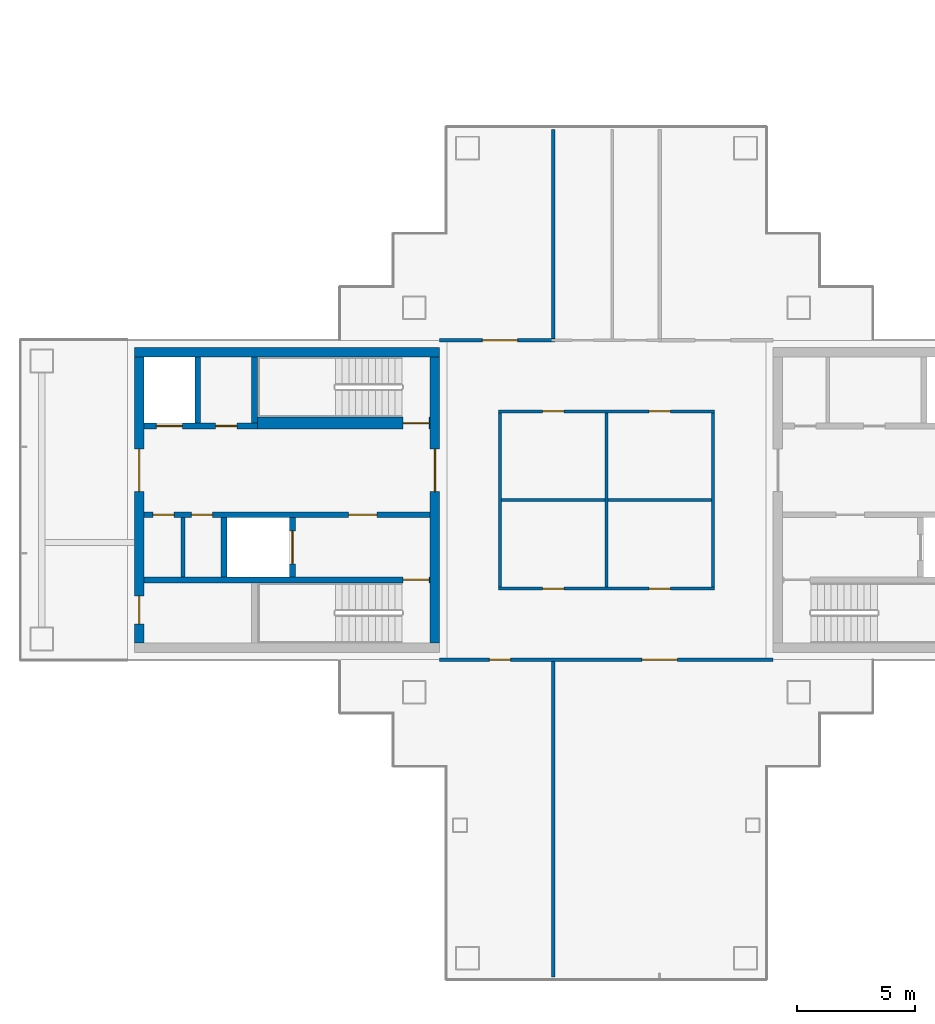
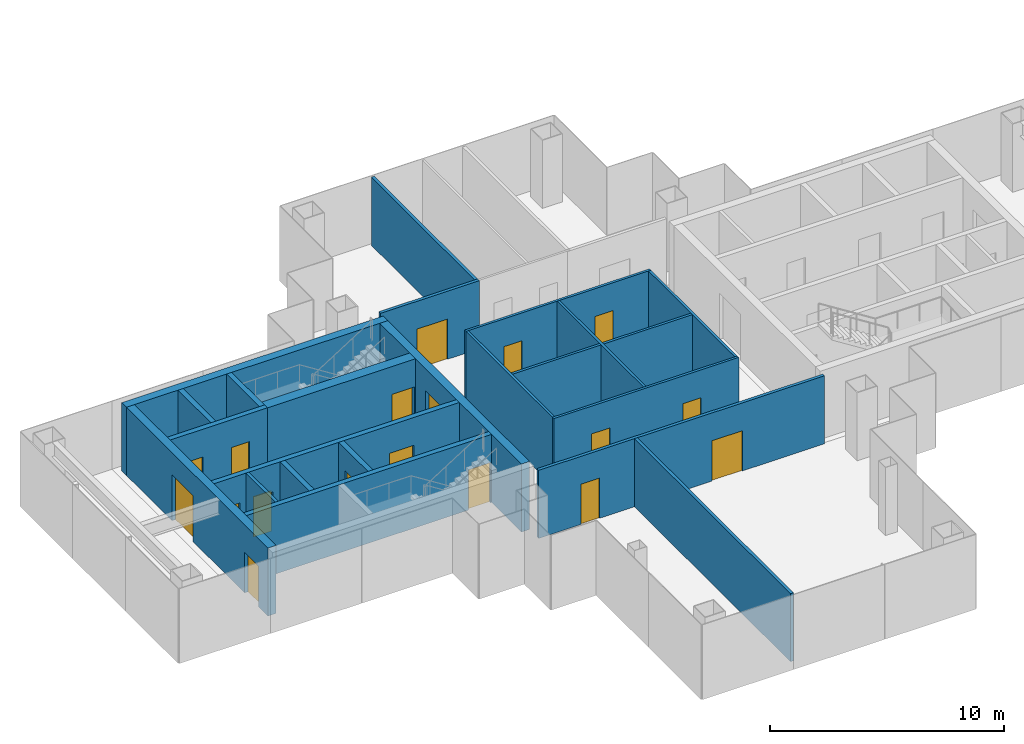
# One storey, part 9 of 16: 22 walls, 18 doors, 18 openings.
"""IFC4 building model written with IfcOpenShell, lengths in metres."""

from ifc_helpers import new_model, si_unit, direction, frame, frame_2d, origin, place, context, subcontext, project, spatial, rectangle, extrude, material, layer, layer_set, type_object, element, fill, save


model = new_model("IFC4")

# Units and contexts
model_context = context("Model", 3, precision=1e-05, world=origin(), true_north=direction((0.0, 1.0)))
body_context = subcontext(model_context, "Body", "Model", "MODEL_VIEW")
ifc_project = project(units=[si_unit("LENGTHUNIT", "METRE"), si_unit("AREAUNIT", "SQUARE_METRE"), si_unit("VOLUMEUNIT", "CUBIC_METRE"), si_unit("PLANEANGLEUNIT", "RADIAN"), si_unit("MASSUNIT", "GRAM", prefix="KILO")], contexts=[model_context])

# Site, building, storey
site_placement = place(None, origin())
site = spatial("IfcSite", under=ifc_project, at=site_placement, CompositionType="ELEMENT")
building_placement = place(site_placement, origin())
building = spatial("IfcBuilding", under=site, at=building_placement, Name="Shamsa Quay Exchange Towers", CompositionType="ELEMENT")
storey_placement = place(building_placement, frame((0.0, 0.0, 182.699951171875)))
storey = spatial("IfcBuildingStorey", under=building, at=storey_placement, Name="L43", CompositionType="ELEMENT", Elevation=182.699951171875)

# Wall
ifc_material_1 = material(Name="Concrete C60/75", Category="concrete")
ifc_layer_1 = layer(ifc_material_1, 0.39990234375)
ifc_layer_set_1 = layer_set([ifc_layer_1], Name="CORE WALL 400 C60/75")
wall_type_1 = type_object("IfcWallType", Name="CORE WALL 400 C60/75", PredefinedType="SHEAR", material=ifc_layer_set_1)
wall_1_placement = place(storey_placement, frame((-40.800048828125, 6.25, 0.0), z_axis=(0.0, 0.0, 1.0), x_axis=(-1.0, 0.0, 0.0)))
element("IfcWall", 1, at=wall_1_placement, inside=storey, type_object=wall_type_1, Name="Core wall T1B-R20-PN", PredefinedType="SHEAR", context=body_context, shape_type="SweptSolid", body=[
    extrude(rectangle(XDim=12.89990234375, YDim=0.39990234375, at=frame_2d((6.449951171875, 0.0))), origin(), (0.0, 0.0, 1.0), 3.550048828125),
])

# Wall, opening, door
wall_2_placement = place(storey_placement, frame((-41.0, -6.050048828125, 0.0), z_axis=(0.0, 0.0, 1.0), x_axis=(0.0, 1.0, 0.0)))
wall_2 = element("IfcWall", 2, at=wall_2_placement, inside=storey, type_object=wall_type_1, Name="Core wall T1B-R20-PF", PredefinedType="SHEAR", context=body_context, shape_type="SweptSolid", body=[
    extrude(rectangle(XDim=12.10009765625, YDim=0.39990234375, at=frame_2d((6.050048828125, 0.0))), origin(), (0.0, 0.0, 1.0), 3.550048828125),
])
opening_1_placement = place(wall_2_placement, frame((6.39990234375, 0.0, 0.0)))
opening_1 = element("IfcOpeningElement", 3, at=opening_1_placement, cuts=wall_2, Name="Opening T1B-R20-LBD01", PredefinedType="OPENING", context=body_context, shape_type="SweptSolid", body=[
    extrude(rectangle(XDim=1.800048828125, YDim=2.39990234375, at=frame_2d((0.89990234375, 1.199951171875))), frame((0.0, 0.2099609375, 0.0), z_axis=(0.0, -1.0, 0.0), x_axis=(1.0, 0.0, 0.0)), (0.0, 0.0, 1.0), 0.419921875),
])
ifc_material_2 = material(Name="Steel, fire rated", Category="steel")
door_type_1 = type_object("IfcDoorType", Name="LIFT LOBBY DOOR PAIR 1800", OperationType="DOUBLE_DOOR_SINGLE_SWING", PredefinedType="DOOR", material=ifc_material_2)
door_1_placement = place(opening_1_placement, origin())
door_1 = element("IfcDoor", 4, at=door_1_placement, inside=storey, type_object=door_type_1, Name="T1B-R20-LBD01", OperationType="DOUBLE_DOOR_SINGLE_SWING", OverallHeight=2.39990234375, OverallWidth=1.800048828125, PredefinedType="DOOR", context=body_context, shape_type="SweptSolid", body=[
    extrude(rectangle(XDim=1.800048828125, YDim=2.39990234375, at=frame_2d((0.89990234375, 1.199951171875))), frame((0.0, 0.02490234375, 0.0), z_axis=(0.0, -1.0, 0.0), x_axis=(1.0, 0.0, 0.0)), (0.0, 0.0, 1.0), 0.050048828125),
])
fill(opening_1, door_1)

# Wall, openings, doors
wall_3_placement = place(storey_placement, frame((-53.5, -6.050048828125, 0.0), z_axis=(0.0, 0.0, 1.0), x_axis=(0.0, 1.0, 0.0)))
wall_3 = element("IfcWall", 5, at=wall_3_placement, inside=storey, type_object=wall_type_1, Name="Core wall T1B-R20-PB", PredefinedType="SHEAR", context=body_context, shape_type="SweptSolid", body=[
    extrude(rectangle(XDim=12.10009765625, YDim=0.39990234375, at=frame_2d((6.050048828125, 0.0))), origin(), (0.0, 0.0, 1.0), 3.550048828125),
])
opening_2_placement = place(wall_3_placement, frame((0.800048828125, 0.0, 0.0)))
opening_2 = element("IfcOpeningElement", 6, at=opening_2_placement, cuts=wall_3, Name="Opening T1B-R20-RD02", PredefinedType="OPENING", context=body_context, shape_type="SweptSolid", body=[
    extrude(rectangle(XDim=1.199951171875, YDim=2.10009765625, at=frame_2d((0.60009765625, 1.050048828125))), frame((0.0, 0.2099609375, 0.0), z_axis=(0.0, -1.0, 0.0), x_axis=(1.0, 0.0, 0.0)), (0.0, 0.0, 1.0), 0.419921875),
])
opening_3_placement = place(wall_3_placement, frame((6.39990234375, 0.0, 0.0)))
opening_3 = element("IfcOpeningElement", 7, at=opening_3_placement, cuts=wall_3, Name="Opening T1B-R20-LBD03", PredefinedType="OPENING", context=body_context, shape_type="SweptSolid", body=[
    extrude(rectangle(XDim=1.800048828125, YDim=2.39990234375, at=frame_2d((0.89990234375, 1.199951171875))), frame((0.0, 0.2099609375, 0.0), z_axis=(0.0, -1.0, 0.0), x_axis=(1.0, 0.0, 0.0)), (0.0, 0.0, 1.0), 0.419921875),
])
door_2_placement = place(opening_3_placement, origin())
door_2 = element("IfcDoor", 8, at=door_2_placement, inside=storey, type_object=door_type_1, Name="T1B-R20-LBD03", OperationType="DOUBLE_DOOR_SINGLE_SWING", OverallHeight=2.39990234375, OverallWidth=1.800048828125, PredefinedType="DOOR", context=body_context, shape_type="SweptSolid", body=[
    extrude(rectangle(XDim=1.800048828125, YDim=2.39990234375, at=frame_2d((0.89990234375, 1.199951171875))), frame((0.0, 0.02490234375, 0.0), z_axis=(0.0, -1.0, 0.0), x_axis=(1.0, 0.0, 0.0)), (0.0, 0.0, 1.0), 0.050048828125),
])
fill(opening_3, door_2)
door_type_2 = type_object("IfcDoorType", Name="RISER ACCESS DOOR 1200", OperationType="SINGLE_SWING_LEFT", PredefinedType="DOOR", material=ifc_material_2)
door_3_placement = place(opening_2_placement, origin())
door_3 = element("IfcDoor", 9, at=door_3_placement, inside=storey, type_object=door_type_2, Name="T1B-R20-RD02", OperationType="SINGLE_SWING_LEFT", OverallHeight=2.10009765625, OverallWidth=1.199951171875, PredefinedType="DOOR", context=body_context, shape_type="SweptSolid", body=[
    extrude(rectangle(XDim=1.199951171875, YDim=2.10009765625, at=frame_2d((0.60009765625, 1.050048828125))), frame((0.0, 0.02490234375, 0.0), z_axis=(0.0, -1.0, 0.0), x_axis=(1.0, 0.0, 0.0)), (0.0, 0.0, 1.0), 0.050048828125),
])
fill(opening_2, door_3)

# Walls
ifc_material_3 = material(Name="Gypsum board on steel studs, EI 60", Category="steel")
ifc_layer_2 = layer(ifc_material_3, 0.14990234375)
ifc_layer_set_2 = layer_set([ifc_layer_2], Name="FIRE PARTITION 150")
wall_type_2 = type_object("IfcWallType", Name="FIRE PARTITION 150", PredefinedType="PARTITIONING", material=ifc_layer_set_2)
wall_4_placement = place(storey_placement, frame((-51.64990234375, -3.25, 0.0), z_axis=(0.0, 0.0, 1.0), x_axis=(0.0, 1.0, 0.0)))
element("IfcWall", 10, at=wall_4_placement, inside=storey, type_object=wall_type_2, Name="Partition T1B-R20-EC0", PredefinedType="PARTITIONING", context=body_context, shape_type="SweptSolid", body=[
    extrude(rectangle(XDim=2.5, YDim=0.14990234375, at=frame_2d((1.25, 0.0))), origin(), (0.0, 0.0, 1.0), 3.550048828125),
])
ifc_material_4 = material(Name="Laminated fire-resisting glass in a metal frame", Category="glass")
ifc_layer_3 = layer(ifc_material_4, 0.125)
ifc_layer_set_3 = layer_set([ifc_layer_3], Name="Glazed partition 125 mm EI 60")
wall_type_3 = type_object("IfcWallType", Name="Glazed partition 125 mm EI 60", PredefinedType="PARTITIONING", material=ifc_layer_set_3)
wall_5_placement = place(storey_placement, frame((-29.25, -3.6875, 0.0), z_axis=(0.0, 0.0, 1.0), x_axis=(0.0, 1.0, 0.0)))
element("IfcWall", 11, at=wall_5_placement, inside=storey, type_object=wall_type_3, Name="Partition T1-R20-W01", PredefinedType="PARTITIONING", context=body_context, shape_type="SweptSolid", body=[
    extrude(rectangle(XDim=7.375, YDim=0.125, at=frame_2d((3.6875, 0.0))), origin(), (0.0, 0.0, 1.0), 3.550048828125),
])

# Wall, openings, doors
wall_6_placement = place(storey_placement, frame((-29.1875, 3.75, 0.0), z_axis=(0.0, 0.0, 1.0), x_axis=(-1.0, 0.0, 0.0)))
wall_6 = element("IfcWall", 12, at=wall_6_placement, inside=storey, type_object=wall_type_3, Name="Partition T1-R20-W02", PredefinedType="PARTITIONING", context=body_context, shape_type="SweptSolid", body=[
    extrude(rectangle(XDim=9.125, YDim=0.125, at=frame_2d((4.5625, 0.0))), origin(), (0.0, 0.0, 1.0), 3.550048828125),
])
opening_4_placement = place(wall_6_placement, frame((1.862548828125, 0.0, 0.0)))
opening_4 = element("IfcOpeningElement", 13, at=opening_4_placement, cuts=wall_6, Name="Opening T1-R20-D07", PredefinedType="OPENING", context=body_context, shape_type="SweptSolid", body=[
    extrude(rectangle(XDim=0.89990234375, YDim=2.10009765625, at=frame_2d((0.449951171875, 1.050048828125))), frame((0.0, 0.072509765625, 0.0), z_axis=(0.0, -1.0, 0.0), x_axis=(1.0, 0.0, 0.0)), (0.0, 0.0, 1.0), 0.14501953125),
])
opening_5_placement = place(wall_6_placement, frame((6.362548828125, 0.0, 0.0)))
opening_5 = element("IfcOpeningElement", 14, at=opening_5_placement, cuts=wall_6, Name="Opening T1-R20-D08", PredefinedType="OPENING", context=body_context, shape_type="SweptSolid", body=[
    extrude(rectangle(XDim=0.89990234375, YDim=2.10009765625, at=frame_2d((0.449951171875, 1.050048828125))), frame((0.0, 0.072509765625, 0.0), z_axis=(0.0, -1.0, 0.0), x_axis=(1.0, 0.0, 0.0)), (0.0, 0.0, 1.0), 0.14501953125),
])
ifc_material_5 = material(Name="Timber door leaf in a metal frame", Category="wood")
door_type_3 = type_object("IfcDoorType", Name="Door 900x2100 FD30S", OperationType="NOTDEFINED", PredefinedType="DOOR", material=ifc_material_5)
door_4_placement = place(opening_4_placement, origin())
door_4 = element("IfcDoor", 15, at=door_4_placement, inside=storey, type_object=door_type_3, Name="Door T1-R20-D07", OperationType="SINGLE_SWING_LEFT", OverallHeight=2.10009765625, OverallWidth=0.89990234375, PredefinedType="DOOR", context=body_context, shape_type="SweptSolid", body=[
    extrude(rectangle(XDim=0.89990234375, YDim=2.10009765625, at=frame_2d((0.449951171875, 1.050048828125))), frame((0.0, 0.02490234375, 0.0), z_axis=(0.0, -1.0, 0.0), x_axis=(1.0, 0.0, 0.0)), (0.0, 0.0, 1.0), 0.050048828125),
])
fill(opening_4, door_4)
door_5_placement = place(opening_5_placement, origin())
door_5 = element("IfcDoor", 16, at=door_5_placement, inside=storey, type_object=door_type_3, Name="Door T1-R20-D08", OperationType="SINGLE_SWING_RIGHT", OverallHeight=2.10009765625, OverallWidth=0.89990234375, PredefinedType="DOOR", context=body_context, shape_type="SweptSolid", body=[
    extrude(rectangle(XDim=0.89990234375, YDim=2.10009765625, at=frame_2d((0.449951171875, 1.050048828125))), frame((0.0, 0.02490234375, 0.0), z_axis=(0.0, -1.0, 0.0), x_axis=(1.0, 0.0, 0.0)), (0.0, 0.0, 1.0), 0.050048828125),
])
fill(opening_5, door_5)

wall_7_placement = place(storey_placement, frame((-38.3125, -3.75, 0.0)))
wall_7 = element("IfcWall", 17, at=wall_7_placement, inside=storey, type_object=wall_type_3, Name="Partition T1-R20-W03", PredefinedType="PARTITIONING", context=body_context, shape_type="SweptSolid", body=[
    extrude(rectangle(XDim=9.125, YDim=0.125, at=frame_2d((4.5625, 0.0))), origin(), (0.0, 0.0, 1.0), 3.550048828125),
])
opening_6_placement = place(wall_7_placement, frame((1.862548828125, 0.0, 0.0)))
opening_6 = element("IfcOpeningElement", 18, at=opening_6_placement, cuts=wall_7, Name="Opening T1-R20-D02", PredefinedType="OPENING", context=body_context, shape_type="SweptSolid", body=[
    extrude(rectangle(XDim=0.89990234375, YDim=2.10009765625, at=frame_2d((0.449951171875, 1.050048828125))), frame((0.0, 0.072509765625, 0.0), z_axis=(0.0, -1.0, 0.0), x_axis=(1.0, 0.0, 0.0)), (0.0, 0.0, 1.0), 0.14501953125),
])
opening_7_placement = place(wall_7_placement, frame((6.362548828125, 0.0, 0.0)))
opening_7 = element("IfcOpeningElement", 19, at=opening_7_placement, cuts=wall_7, Name="Opening T1-R20-D03", PredefinedType="OPENING", context=body_context, shape_type="SweptSolid", body=[
    extrude(rectangle(XDim=0.89990234375, YDim=2.10009765625, at=frame_2d((0.449951171875, 1.050048828125))), frame((0.0, 0.072509765625, 0.0), z_axis=(0.0, -1.0, 0.0), x_axis=(1.0, 0.0, 0.0)), (0.0, 0.0, 1.0), 0.14501953125),
])
door_6_placement = place(opening_6_placement, origin())
door_6 = element("IfcDoor", 20, at=door_6_placement, inside=storey, type_object=door_type_3, Name="Door T1-R20-D02", OperationType="SINGLE_SWING_LEFT", OverallHeight=2.10009765625, OverallWidth=0.89990234375, PredefinedType="DOOR", context=body_context, shape_type="SweptSolid", body=[
    extrude(rectangle(XDim=0.89990234375, YDim=2.10009765625, at=frame_2d((0.449951171875, 1.050048828125))), frame((0.0, 0.02490234375, 0.0), z_axis=(0.0, -1.0, 0.0), x_axis=(1.0, 0.0, 0.0)), (0.0, 0.0, 1.0), 0.050048828125),
])
fill(opening_6, door_6)
door_7_placement = place(opening_7_placement, origin())
door_7 = element("IfcDoor", 21, at=door_7_placement, inside=storey, type_object=door_type_3, Name="Door T1-R20-D03", OperationType="SINGLE_SWING_LEFT", OverallHeight=2.10009765625, OverallWidth=0.89990234375, PredefinedType="DOOR", context=body_context, shape_type="SweptSolid", body=[
    extrude(rectangle(XDim=0.89990234375, YDim=2.10009765625, at=frame_2d((0.449951171875, 1.050048828125))), frame((0.0, 0.02490234375, 0.0), z_axis=(0.0, -1.0, 0.0), x_axis=(1.0, 0.0, 0.0)), (0.0, 0.0, 1.0), 0.050048828125),
])
fill(opening_7, door_7)

# Walls
wall_8_placement = place(storey_placement, frame((-38.25, 3.6875, 0.0), z_axis=(0.0, 0.0, 1.0), x_axis=(0.0, -1.0, 0.0)))
element("IfcWall", 22, at=wall_8_placement, inside=storey, type_object=wall_type_3, Name="Partition T1-R20-W04", PredefinedType="PARTITIONING", context=body_context, shape_type="SweptSolid", body=[
    extrude(rectangle(XDim=7.375, YDim=0.125, at=frame_2d((3.6875, 0.0))), origin(), (0.0, 0.0, 1.0), 3.550048828125),
])
wall_9_placement = place(storey_placement, frame((-38.1875, 0.0, 0.0)))
element("IfcWall", 23, at=wall_9_placement, inside=storey, type_object=wall_type_3, Name="Partition T1-R20-W09", PredefinedType="PARTITIONING", context=body_context, shape_type="SweptSolid", body=[
    extrude(rectangle(XDim=8.875, YDim=0.125, at=frame_2d((4.4375, 0.0))), origin(), (0.0, 0.0, 1.0), 3.550048828125),
])
wall_10_placement = place(storey_placement, frame((-33.75, 3.6875, 0.0), z_axis=(0.0, 0.0, 1.0), x_axis=(0.0, -1.0, 0.0)))
element("IfcWall", 24, at=wall_10_placement, inside=storey, type_object=wall_type_3, Name="Partition T1-R20-W10", PredefinedType="PARTITIONING", context=body_context, shape_type="SweptSolid", body=[
    extrude(rectangle(XDim=7.375, YDim=0.125, at=frame_2d((3.6875, 0.0))), origin(), (0.0, 0.0, 1.0), 3.550048828125),
])

# Wall, opening, door
ifc_material_6 = material(Name="Gypsum board partition on metal studs")
ifc_layer_4 = layer(ifc_material_6, 0.14990234375)
ifc_layer_set_4 = layer_set([ifc_layer_4], Name="Partition 150 mm EI 60")
wall_type_4 = type_object("IfcWallType", Name="Partition 150 mm EI 60", PredefinedType="PARTITIONING", material=ifc_layer_set_4)
wall_11_placement = place(storey_placement, frame((-40.800048828125, 6.75, 0.0)))
wall_11 = element("IfcWall", 25, at=wall_11_placement, inside=storey, type_object=wall_type_4, Name="Partition T1-R20-W05", PredefinedType="PARTITIONING", context=body_context, shape_type="SweptSolid", body=[
    extrude(rectangle(XDim=4.875, YDim=0.14990234375, at=frame_2d((2.4375, 0.0))), origin(), (0.0, 0.0, 1.0), 3.550048828125),
])
opening_8_placement = place(wall_11_placement, frame((1.800048828125, 0.0, 0.0)))
opening_8 = element("IfcOpeningElement", 26, at=opening_8_placement, cuts=wall_11, Name="Opening T1-R20-D01", PredefinedType="OPENING", context=body_context, shape_type="SweptSolid", body=[
    extrude(rectangle(XDim=1.5, YDim=2.10009765625, at=frame_2d((0.75, 1.050048828125))), frame((0.0, 0.0849609375, 0.0), z_axis=(0.0, -1.0, 0.0), x_axis=(1.0, 0.0, 0.0)), (0.0, 0.0, 1.0), 0.169921875),
])
door_type_4 = type_object("IfcDoorType", Name="Door 1500x2100 FD30S pair", OperationType="NOTDEFINED", PredefinedType="DOOR", material=ifc_material_5)
door_8_placement = place(opening_8_placement, origin())
door_8 = element("IfcDoor", 27, at=door_8_placement, inside=storey, type_object=door_type_4, Name="Door T1-R20-D01", OperationType="DOUBLE_DOOR_SINGLE_SWING", OverallHeight=2.10009765625, OverallWidth=1.5, PredefinedType="DOOR", context=body_context, shape_type="SweptSolid", body=[
    extrude(rectangle(XDim=1.5, YDim=2.10009765625, at=frame_2d((0.75, 1.050048828125))), frame((0.0, 0.02490234375, 0.0), z_axis=(0.0, -1.0, 0.0), x_axis=(1.0, 0.0, 0.0)), (0.0, 0.0, 1.0), 0.050048828125),
])
fill(opening_8, door_8)

# Wall, openings, doors
wall_12_placement = place(storey_placement, frame((-26.699951171875, -6.75, 0.0), z_axis=(0.0, 0.0, 1.0), x_axis=(-1.0, 0.0, 0.0)))
wall_12 = element("IfcWall", 28, at=wall_12_placement, inside=storey, type_object=wall_type_4, Name="Partition T1-R20-W08", PredefinedType="PARTITIONING", context=body_context, shape_type="SweptSolid", body=[
    extrude(rectangle(XDim=14.10009765625, YDim=0.14990234375, at=frame_2d((7.050048828125, 0.0))), origin(), (0.0, 0.0, 1.0), 3.550048828125),
])
opening_9_placement = place(wall_12_placement, frame((4.050048828125, 0.0, 0.0)))
opening_9 = element("IfcOpeningElement", 29, at=opening_9_placement, cuts=wall_12, Name="Opening T1-R20-D09", PredefinedType="OPENING", context=body_context, shape_type="SweptSolid", body=[
    extrude(rectangle(XDim=1.5, YDim=2.10009765625, at=frame_2d((0.75, 1.050048828125))), frame((0.0, 0.0849609375, 0.0), z_axis=(0.0, -1.0, 0.0), x_axis=(1.0, 0.0, 0.0)), (0.0, 0.0, 1.0), 0.169921875),
])
opening_10_placement = place(wall_12_placement, frame((11.10009765625, 0.0, 0.0)))
opening_10 = element("IfcOpeningElement", 30, at=opening_10_placement, cuts=wall_12, Name="Opening T1-R20-D10", PredefinedType="OPENING", context=body_context, shape_type="SweptSolid", body=[
    extrude(rectangle(XDim=0.89990234375, YDim=2.10009765625, at=frame_2d((0.449951171875, 1.050048828125))), frame((0.0, 0.0849609375, 0.0), z_axis=(0.0, -1.0, 0.0), x_axis=(1.0, 0.0, 0.0)), (0.0, 0.0, 1.0), 0.169921875),
])
door_9_placement = place(opening_9_placement, origin())
door_9 = element("IfcDoor", 31, at=door_9_placement, inside=storey, type_object=door_type_4, Name="Door T1-R20-D09", OperationType="DOUBLE_DOOR_SINGLE_SWING", OverallHeight=2.10009765625, OverallWidth=1.5, PredefinedType="DOOR", context=body_context, shape_type="SweptSolid", body=[
    extrude(rectangle(XDim=1.5, YDim=2.10009765625, at=frame_2d((0.75, 1.050048828125))), frame((0.0, 0.02490234375, 0.0), z_axis=(0.0, -1.0, 0.0), x_axis=(1.0, 0.0, 0.0)), (0.0, 0.0, 1.0), 0.050048828125),
])
fill(opening_9, door_9)
door_10_placement = place(opening_10_placement, origin())
door_10 = element("IfcDoor", 32, at=door_10_placement, inside=storey, type_object=door_type_3, Name="Door T1-R20-D10", OperationType="SINGLE_SWING_LEFT", OverallHeight=2.10009765625, OverallWidth=0.89990234375, PredefinedType="DOOR", context=body_context, shape_type="SweptSolid", body=[
    extrude(rectangle(XDim=0.89990234375, YDim=2.10009765625, at=frame_2d((0.449951171875, 1.050048828125))), frame((0.0, 0.02490234375, 0.0), z_axis=(0.0, -1.0, 0.0), x_axis=(1.0, 0.0, 0.0)), (0.0, 0.0, 1.0), 0.050048828125),
])
fill(opening_10, door_10)

# Walls
wall_13_placement = place(storey_placement, frame((-36.0, -20.155029296875, 0.0), z_axis=(0.0, 0.0, 1.0), x_axis=(0.0, 1.0, 0.0)))
element("IfcWall", 33, at=wall_13_placement, inside=storey, type_object=wall_type_4, Name="Partition T1-R20-W11", PredefinedType="PARTITIONING", context=body_context, shape_type="SweptSolid", body=[
    extrude(rectangle(XDim=13.330078125, YDim=0.14990234375, at=frame_2d((6.6650390625, 0.0))), origin(), (0.0, 0.0, 1.0), 3.550048828125),
])
wall_14_placement = place(storey_placement, frame((-36.0, 6.824951171875, 0.0), z_axis=(0.0, 0.0, 1.0), x_axis=(0.0, 1.0, 0.0)))
element("IfcWall", 34, at=wall_14_placement, inside=storey, type_object=wall_type_4, Name="Partition T1-R20-W12", PredefinedType="PARTITIONING", context=body_context, shape_type="SweptSolid", body=[
    extrude(rectangle(XDim=8.830078125, YDim=0.14990234375, at=frame_2d((4.4150390625, 0.0))), origin(), (0.0, 0.0, 1.0), 3.550048828125),
])

# Wall, opening, door
ifc_material_7 = material(Name="Concrete C50/60", Category="concrete")
ifc_layer_5 = layer(ifc_material_7, 0.25)
ifc_layer_set_5 = layer_set([ifc_layer_5], Name="SHAFT WALL 250 C50/60")
wall_type_5 = type_object("IfcWallType", Name="SHAFT WALL 250 C50/60", PredefinedType="SHEAR", material=ifc_layer_set_5)
wall_15_placement = place(storey_placement, frame((-41.199951171875, -3.375, 0.0), z_axis=(0.0, 0.0, 1.0), x_axis=(-1.0, 0.0, 0.0)))
wall_15 = element("IfcWall", 35, at=wall_15_placement, inside=storey, type_object=wall_type_5, Name="Shaft wall T1B-R20-STL", PredefinedType="SHEAR", context=body_context, shape_type="SweptSolid", body=[
    extrude(rectangle(XDim=12.10009765625, YDim=0.25, at=frame_2d((6.050048828125, 0.0))), origin(), (0.0, 0.0, 1.0), 3.550048828125),
])
opening_11_placement = place(wall_15_placement, frame((0.050048828125, 0.0, 0.0)))
opening_11 = element("IfcOpeningElement", 36, at=opening_11_placement, cuts=wall_15, Name="Opening T1B-R20-SD04", PredefinedType="OPENING", context=body_context, shape_type="SweptSolid", body=[
    extrude(rectangle(XDim=1.10009765625, YDim=2.10009765625, at=frame_2d((0.550048828125, 1.050048828125))), frame((0.0, 0.135009765625, 0.0), z_axis=(0.0, -1.0, 0.0), x_axis=(1.0, 0.0, 0.0)), (0.0, 0.0, 1.0), 0.27001953125),
])
door_type_5 = type_object("IfcDoorType", Name="STAIR DOOR 1100", OperationType="SINGLE_SWING_LEFT", PredefinedType="DOOR", material=ifc_material_2)
door_11_placement = place(opening_11_placement, origin())
door_11 = element("IfcDoor", 37, at=door_11_placement, inside=storey, type_object=door_type_5, Name="T1B-R20-SD04", OperationType="SINGLE_SWING_LEFT", OverallHeight=2.10009765625, OverallWidth=1.10009765625, PredefinedType="DOOR", context=body_context, shape_type="SweptSolid", body=[
    extrude(rectangle(XDim=1.10009765625, YDim=2.10009765625, at=frame_2d((0.550048828125, 1.050048828125))), frame((0.0, 0.02490234375, 0.0), z_axis=(0.0, -1.0, 0.0), x_axis=(1.0, 0.0, 0.0)), (0.0, 0.0, 1.0), 0.050048828125),
])
fill(opening_11, door_11)

# Wall, openings, doors
wall_16_placement = place(storey_placement, frame((-41.199951171875, -0.625, 0.0), z_axis=(0.0, 0.0, 1.0), x_axis=(-1.0, 0.0, 0.0)))
wall_16 = element("IfcWall", 38, at=wall_16_placement, inside=storey, type_object=wall_type_5, Name="Shaft wall T1B-R20-B", PredefinedType="SHEAR", context=body_context, shape_type="SweptSolid", body=[
    extrude(rectangle(XDim=12.10009765625, YDim=0.25, at=frame_2d((6.050048828125, 0.0))), origin(), (0.0, 0.0, 1.0), 3.550048828125),
])
opening_12_placement = place(wall_16_placement, frame((2.25, 0.0, 0.0)))
opening_12 = element("IfcOpeningElement", 39, at=opening_12_placement, cuts=wall_16, Name="Opening T1B-R20-FD05", PredefinedType="OPENING", context=body_context, shape_type="SweptSolid", body=[
    extrude(rectangle(XDim=1.199951171875, YDim=2.10009765625, at=frame_2d((0.60009765625, 1.050048828125))), frame((0.0, 0.135009765625, 0.0), z_axis=(0.0, -1.0, 0.0), x_axis=(1.0, 0.0, 0.0)), (0.0, 0.0, 1.0), 0.27001953125),
])
opening_13_placement = place(wall_16_placement, frame((9.199951171875, 0.0, 0.0)))
opening_13 = element("IfcOpeningElement", 40, at=opening_13_placement, cuts=wall_16, Name="Opening T1B-R20-SV06", PredefinedType="OPENING", context=body_context, shape_type="SweptSolid", body=[
    extrude(rectangle(XDim=0.89990234375, YDim=2.10009765625, at=frame_2d((0.449951171875, 1.050048828125))), frame((0.0, 0.135009765625, 0.0), z_axis=(0.0, -1.0, 0.0), x_axis=(1.0, 0.0, 0.0)), (0.0, 0.0, 1.0), 0.27001953125),
])
opening_14_placement = place(wall_16_placement, frame((10.824951171875, 0.0, 0.0)))
opening_14 = element("IfcOpeningElement", 41, at=opening_14_placement, cuts=wall_16, Name="Opening T1B-R20-SV07", PredefinedType="OPENING", context=body_context, shape_type="SweptSolid", body=[
    extrude(rectangle(XDim=0.89990234375, YDim=2.10009765625, at=frame_2d((0.449951171875, 1.050048828125))), frame((0.0, 0.135009765625, 0.0), z_axis=(0.0, -1.0, 0.0), x_axis=(1.0, 0.0, 0.0)), (0.0, 0.0, 1.0), 0.27001953125),
])
door_type_6 = type_object("IfcDoorType", Name="FIRE SERVICE LOBBY DOOR 1200", OperationType="SINGLE_SWING_LEFT", PredefinedType="DOOR", material=ifc_material_2)
door_12_placement = place(opening_12_placement, origin())
door_12 = element("IfcDoor", 42, at=door_12_placement, inside=storey, type_object=door_type_6, Name="T1B-R20-FD05", OperationType="SINGLE_SWING_LEFT", OverallHeight=2.10009765625, OverallWidth=1.199951171875, PredefinedType="DOOR", context=body_context, shape_type="SweptSolid", body=[
    extrude(rectangle(XDim=1.199951171875, YDim=2.10009765625, at=frame_2d((0.60009765625, 1.050048828125))), frame((0.0, 0.02490234375, 0.0), z_axis=(0.0, -1.0, 0.0), x_axis=(1.0, 0.0, 0.0)), (0.0, 0.0, 1.0), 0.050048828125),
])
fill(opening_12, door_12)
door_type_7 = type_object("IfcDoorType", Name="SERVICE ROOM DOOR 900", OperationType="SINGLE_SWING_LEFT", PredefinedType="DOOR", material=ifc_material_2)
door_13_placement = place(opening_13_placement, origin())
door_13 = element("IfcDoor", 43, at=door_13_placement, inside=storey, type_object=door_type_7, Name="T1B-R20-SV06", OperationType="SINGLE_SWING_RIGHT", OverallHeight=2.10009765625, OverallWidth=0.89990234375, PredefinedType="DOOR", context=body_context, shape_type="SweptSolid", body=[
    extrude(rectangle(XDim=0.89990234375, YDim=2.10009765625, at=frame_2d((0.449951171875, 1.050048828125))), frame((0.0, 0.02490234375, 0.0), z_axis=(0.0, -1.0, 0.0), x_axis=(1.0, 0.0, 0.0)), (0.0, 0.0, 1.0), 0.050048828125),
])
fill(opening_13, door_13)
door_14_placement = place(opening_14_placement, origin())
door_14 = element("IfcDoor", 44, at=door_14_placement, inside=storey, type_object=door_type_7, Name="T1B-R20-SV07", OperationType="SINGLE_SWING_RIGHT", OverallHeight=2.10009765625, OverallWidth=0.89990234375, PredefinedType="DOOR", context=body_context, shape_type="SweptSolid", body=[
    extrude(rectangle(XDim=0.89990234375, YDim=2.10009765625, at=frame_2d((0.449951171875, 1.050048828125))), frame((0.0, 0.02490234375, 0.0), z_axis=(0.0, -1.0, 0.0), x_axis=(1.0, 0.0, 0.0)), (0.0, 0.0, 1.0), 0.050048828125),
])
fill(opening_14, door_14)

# Wall, opening, door
wall_17_placement = place(storey_placement, frame((-47.02490234375, -3.25, 0.0), z_axis=(0.0, 0.0, 1.0), x_axis=(0.0, 1.0, 0.0)))
wall_17 = element("IfcWall", 45, at=wall_17_placement, inside=storey, type_object=wall_type_5, Name="Shaft wall T1B-R20-FFF", PredefinedType="SHEAR", context=body_context, shape_type="SweptSolid", body=[
    extrude(rectangle(XDim=2.5, YDim=0.25, at=frame_2d((1.25, 0.0))), origin(), (0.0, 0.0, 1.0), 3.550048828125),
])
opening_15_placement = place(wall_17_placement, frame((0.550048828125, 0.0, 0.0)))
opening_15 = element("IfcOpeningElement", 46, at=opening_15_placement, cuts=wall_17, Name="Opening T1B-R20-LDG08", PredefinedType="OPENING", context=body_context, shape_type="SweptSolid", body=[
    extrude(rectangle(XDim=1.39990234375, YDim=2.39990234375, at=frame_2d((0.699951171875, 1.199951171875))), frame((0.0, 0.135009765625, 0.0), z_axis=(0.0, -1.0, 0.0), x_axis=(1.0, 0.0, 0.0)), (0.0, 0.0, 1.0), 0.27001953125),
])
door_type_8 = type_object("IfcDoorType", Name="GOODS LIFT LANDING DOOR 1400", OperationType="SLIDING_TO_LEFT", PredefinedType="DOOR", material=ifc_material_2)
door_15_placement = place(opening_15_placement, origin())
door_15 = element("IfcDoor", 47, at=door_15_placement, inside=storey, type_object=door_type_8, Name="T1B-R20-LDG08", OperationType="SLIDING_TO_LEFT", OverallHeight=2.39990234375, OverallWidth=1.39990234375, PredefinedType="DOOR", context=body_context, shape_type="SweptSolid", body=[
    extrude(rectangle(XDim=1.39990234375, YDim=2.39990234375, at=frame_2d((0.699951171875, 1.199951171875))), frame((0.0, 0.02490234375, 0.0), z_axis=(0.0, -1.0, 0.0), x_axis=(1.0, 0.0, 0.0)), (0.0, 0.0, 1.0), 0.050048828125),
])
fill(opening_15, door_15)

# Wall
wall_18_placement = place(storey_placement, frame((-49.925048828125, -3.25, 0.0), z_axis=(0.0, 0.0, 1.0), x_axis=(0.0, 1.0, 0.0)))
element("IfcWall", 48, at=wall_18_placement, inside=storey, type_object=wall_type_5, Name="Shaft wall T1B-R20-FFB", PredefinedType="SHEAR", context=body_context, shape_type="SweptSolid", body=[
    extrude(rectangle(XDim=2.5, YDim=0.25, at=frame_2d((1.25, 0.0))), origin(), (0.0, 0.0, 1.0), 3.550048828125),
])

# Wall, openings, doors
wall_19_placement = place(storey_placement, frame((-53.300048828125, 3.125, 0.0)))
wall_19 = element("IfcWall", 49, at=wall_19_placement, inside=storey, type_object=wall_type_5, Name="Shaft wall T1B-R20-N2", PredefinedType="SHEAR", context=body_context, shape_type="SweptSolid", body=[
    extrude(rectangle(XDim=4.800048828125, YDim=0.25, at=frame_2d((2.39990234375, 0.0))), origin(), (0.0, 0.0, 1.0), 3.550048828125),
])
opening_16_placement = place(wall_19_placement, frame((0.52490234375, 0.0, 0.0)))
opening_16 = element("IfcOpeningElement", 50, at=opening_16_placement, cuts=wall_19, Name="Opening T1B-R20-LD10", PredefinedType="OPENING", context=body_context, shape_type="SweptSolid", body=[
    extrude(rectangle(XDim=1.10009765625, YDim=2.10009765625, at=frame_2d((0.550048828125, 1.050048828125))), frame((0.0, 0.135009765625, 0.0), z_axis=(0.0, -1.0, 0.0), x_axis=(1.0, 0.0, 0.0)), (0.0, 0.0, 1.0), 0.27001953125),
])
opening_17_placement = place(wall_19_placement, frame((3.02490234375, 0.0, 0.0)))
opening_17 = element("IfcOpeningElement", 51, at=opening_17_placement, cuts=wall_19, Name="Opening T1B-R20-SV11", PredefinedType="OPENING", context=body_context, shape_type="SweptSolid", body=[
    extrude(rectangle(XDim=0.89990234375, YDim=2.10009765625, at=frame_2d((0.449951171875, 1.050048828125))), frame((0.0, 0.135009765625, 0.0), z_axis=(0.0, -1.0, 0.0), x_axis=(1.0, 0.0, 0.0)), (0.0, 0.0, 1.0), 0.27001953125),
])
door_type_9 = type_object("IfcDoorType", Name="LANDING DOOR 1100", OperationType="SLIDING_TO_LEFT", PredefinedType="DOOR", material=ifc_material_2)
door_16_placement = place(opening_16_placement, origin())
door_16 = element("IfcDoor", 52, at=door_16_placement, inside=storey, type_object=door_type_9, Name="T1B-R20-LD10", OperationType="SLIDING_TO_LEFT", OverallHeight=2.10009765625, OverallWidth=1.10009765625, PredefinedType="DOOR", context=body_context, shape_type="SweptSolid", body=[
    extrude(rectangle(XDim=1.10009765625, YDim=2.10009765625, at=frame_2d((0.550048828125, 1.050048828125))), frame((0.0, 0.02490234375, 0.0), z_axis=(0.0, -1.0, 0.0), x_axis=(1.0, 0.0, 0.0)), (0.0, 0.0, 1.0), 0.050048828125),
])
fill(opening_16, door_16)
door_17_placement = place(opening_17_placement, origin())
door_17 = element("IfcDoor", 53, at=door_17_placement, inside=storey, type_object=door_type_7, Name="T1B-R20-SV11", OperationType="SINGLE_SWING_RIGHT", OverallHeight=2.10009765625, OverallWidth=0.89990234375, PredefinedType="DOOR", context=body_context, shape_type="SweptSolid", body=[
    extrude(rectangle(XDim=0.89990234375, YDim=2.10009765625, at=frame_2d((0.449951171875, 1.050048828125))), frame((0.0, 0.02490234375, 0.0), z_axis=(0.0, -1.0, 0.0), x_axis=(1.0, 0.0, 0.0)), (0.0, 0.0, 1.0), 0.050048828125),
])
fill(opening_17, door_17)

# Walls
for number, where, z_axis, x_axis, name in (
    (54, (-48.625, 3.25, 0.0), (0.0, 0.0, 1.0), (0.0, 1.0, 0.0), "Shaft wall T1B-R20-STF2"),
    (55, (-51.02490234375, 3.25, 0.0), (0.0, 0.0, 1.0), (0.0, 1.0, 0.0), "Shaft wall T1B-R20-D0"),
):
    element("IfcWall", number, at=place(storey_placement, frame(where, z_axis=z_axis, x_axis=x_axis)), inside=storey, type_object=wall_type_5, Name=name, PredefinedType="SHEAR", context=body_context, shape_type="SweptSolid", body=[
        extrude(rectangle(XDim=2.800048828125, YDim=0.25, at=frame_2d((1.39990234375, 0.0))), origin(), (0.0, 0.0, 1.0), 3.550048828125),
    ])

# Wall, opening, door
ifc_layer_6 = layer(ifc_material_7, 0.5)
ifc_layer_set_6 = layer_set([ifc_layer_6], Name="SHAFT WALL 500 C50/60")
wall_type_6 = type_object("IfcWallType", Name="SHAFT WALL 500 C50/60", PredefinedType="SHEAR", material=ifc_layer_set_6)
wall_20_placement = place(storey_placement, frame((-48.5, 3.25, 0.0)))
wall_20 = element("IfcWall", 56, at=wall_20_placement, inside=storey, type_object=wall_type_6, Name="Shaft wall T1B-R20-N", PredefinedType="SHEAR", context=body_context, shape_type="SweptSolid", body=[
    extrude(rectangle(XDim=7.300048828125, YDim=0.5, at=frame_2d((3.64990234375, 0.0))), origin(), (0.0, 0.0, 1.0), 3.550048828125),
])
opening_18_placement = place(wall_20_placement, frame((6.14990234375, 0.0, 0.0)))
opening_18 = element("IfcOpeningElement", 57, at=opening_18_placement, cuts=wall_20, Name="Opening T1B-R20-SD09", PredefinedType="OPENING", context=body_context, shape_type="SweptSolid", body=[
    extrude(rectangle(XDim=1.10009765625, YDim=2.10009765625, at=frame_2d((0.550048828125, 1.050048828125))), frame((0.0, 0.260009765625, 0.0), z_axis=(0.0, -1.0, 0.0), x_axis=(1.0, 0.0, 0.0)), (0.0, 0.0, 1.0), 0.52001953125),
])
door_18_placement = place(opening_18_placement, origin())
door_18 = element("IfcDoor", 58, at=door_18_placement, inside=storey, type_object=door_type_5, Name="T1B-R20-SD09", OperationType="SINGLE_SWING_RIGHT", OverallHeight=2.10009765625, OverallWidth=1.10009765625, PredefinedType="DOOR", context=body_context, shape_type="SweptSolid", body=[
    extrude(rectangle(XDim=1.10009765625, YDim=2.10009765625, at=frame_2d((0.550048828125, 1.050048828125))), frame((0.0, 0.02490234375, 0.0), z_axis=(0.0, -1.0, 0.0), x_axis=(1.0, 0.0, 0.0)), (0.0, 0.0, 1.0), 0.050048828125),
])
fill(opening_18, door_18)

save(model, "model.ifc")
